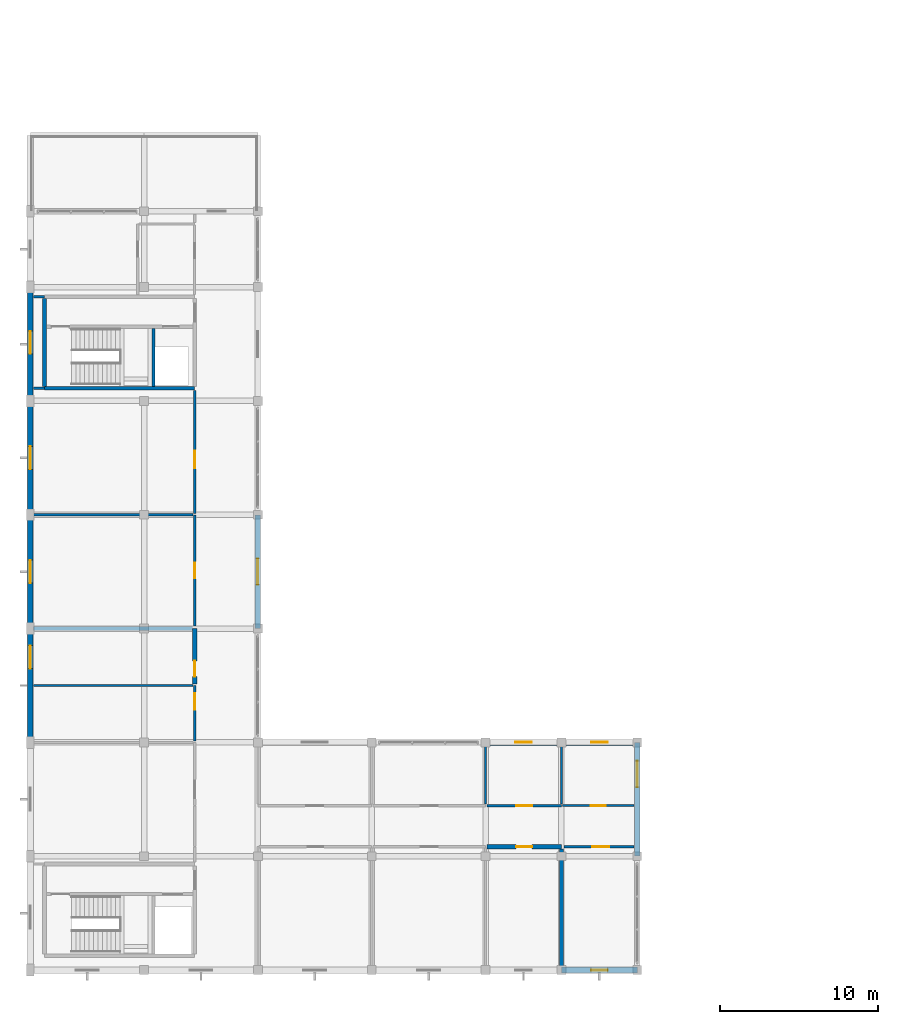
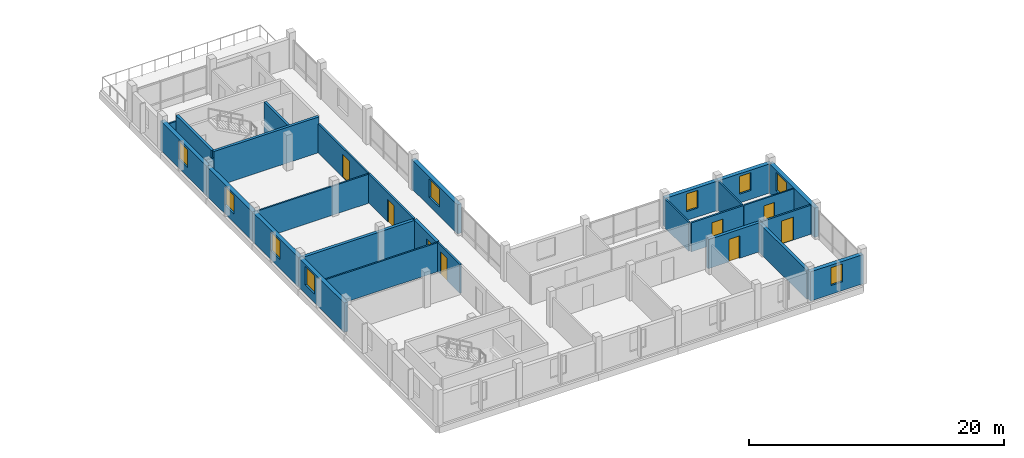
# One storey, part 55 of 66: 28 walls, 9 windows, 8 doors, 17 openings.
"""IFC4 building model written with IfcOpenShell, lengths in metres."""

from ifc_helpers import new_model, si_unit, direction, frame, frame_2d, origin, place, context, subcontext, project, spatial, rectangle, extrude, material, layer, layer_set, type_object, element, fill, save


model = new_model("IFC4")

# Units and contexts
model_context = context("Model", 3, precision=1e-05, world=origin(), true_north=direction((0.0, 1.0)))
body_context = subcontext(model_context, "Body", "Model", "MODEL_VIEW")
ifc_project = project(units=[si_unit("LENGTHUNIT", "METRE"), si_unit("AREAUNIT", "SQUARE_METRE"), si_unit("VOLUMEUNIT", "CUBIC_METRE"), si_unit("PLANEANGLEUNIT", "RADIAN"), si_unit("MASSUNIT", "GRAM", prefix="KILO")], contexts=[model_context])

# Site, building, storey
site_placement = place(None, origin())
site = spatial("IfcSite", under=ifc_project, at=site_placement, CompositionType="ELEMENT")
building_placement = place(site_placement, origin())
building = spatial("IfcBuilding", under=site, at=building_placement, Name="Zornivar Specialist Clinic", CompositionType="ELEMENT")
storey_placement = place(building_placement, frame((0.0, 0.0, 16.0)))
storey = spatial("IfcBuildingStorey", under=building, at=storey_placement, Name="L04", CompositionType="ELEMENT", Elevation=16.0)

# Wall, opening, window
ifc_material_1 = material(Name="Masonry Red-Ochre Brick and Stone Insulated Wall", Category="masonry")
ifc_layer_1 = layer(ifc_material_1, 0.360107421875)
ifc_layer_set_1 = layer_set([ifc_layer_1], Name="Masonry Red-Ochre Brick and Stone Insulated Wall")
wall_type_1 = type_object("IfcWallType", Name="EW-BRICK-360", PredefinedType="SOLIDWALL", material=ifc_layer_set_1)
wall_1_placement = place(storey_placement, frame((33.60009765625, 0.0, 0.0), z_axis=(0.0, 0.0, 1.0), x_axis=(1.0, 0.0, 0.0)))
wall_1 = element("IfcWall", 1, at=wall_1_placement, inside=storey, type_object=wall_type_1, Name="ew:V2:L04:05", PredefinedType="SOLIDWALL", context=body_context, shape_type="SweptSolid", body=[
    extrude(rectangle(XDim=4.7998046875, YDim=0.360107421875, at=frame_2d((2.39990234375, 0.0))), origin(), (0.0, 0.0, 1.0), 2.800048828125),
])
opening_1_placement = place(wall_1_placement, frame((1.875, 0.0, 0.85009765625)))
opening_1 = element("IfcOpeningElement", 2, at=opening_1_placement, cuts=wall_1, Name="Opening W-10", PredefinedType="OPENING", context=body_context, shape_type="SweptSolid", body=[
    extrude(rectangle(XDim=1.050048828125, YDim=1.699951171875, at=frame_2d((0.52490234375, 0.85009765625))), frame((0.0, 0.18994140625, 0.0), z_axis=(0.0, -1.0, 0.0), x_axis=(1.0, 0.0, 0.0)), (0.0, 0.0, 1.0), 0.380126953125),
])
ifc_material_2 = material(Name="Triple-Glazed Aluminium-Timber Window Glass", Category="wood")
window_type_1 = type_object("IfcWindowType", Name="WIN-CUMBA-PIER-1050x1700", PartitioningType="SINGLE_PANEL", PredefinedType="WINDOW", material=ifc_material_2)
window_1_placement = place(opening_1_placement, origin())
window_1 = element("IfcWindow", 3, at=window_1_placement, inside=storey, type_object=window_type_1, Name="win:V2:L04:05", OverallHeight=1.699951171875, OverallWidth=1.050048828125, PartitioningType="SINGLE_PANEL", PredefinedType="WINDOW", context=body_context, shape_type="SweptSolid", body=[
    extrude(rectangle(XDim=1.050048828125, YDim=1.699951171875, at=frame_2d((0.52490234375, 0.85009765625))), frame((0.0, 0.030029296875, 0.0), z_axis=(0.0, -1.0, 0.0), x_axis=(1.0, 0.0, 0.0)), (0.0, 0.0, 1.0), 0.06005859375),
])
fill(opening_1, window_1)

wall_2_placement = place(storey_placement, frame((38.39990234375, 7.199951171875, 0.0), z_axis=(0.0, 0.0, 1.0), x_axis=(0.0, 1.0, 0.0)))
wall_2 = element("IfcWall", 4, at=wall_2_placement, inside=storey, type_object=wall_type_1, Name="ew:V2:L04:07", PredefinedType="SOLIDWALL", context=body_context, shape_type="SweptSolid", body=[
    extrude(rectangle(XDim=7.199951171875, YDim=0.360107421875, at=frame_2d((3.60009765625, 0.0))), origin(), (0.0, 0.0, 1.0), 2.800048828125),
])
opening_2_placement = place(wall_2_placement, frame((4.375, 0.0, 0.85009765625)))
opening_2 = element("IfcOpeningElement", 5, at=opening_2_placement, cuts=wall_2, Name="Opening W-09", PredefinedType="OPENING", context=body_context, shape_type="SweptSolid", body=[
    extrude(rectangle(XDim=1.64990234375, YDim=1.75, at=frame_2d((0.824951171875, 0.875))), frame((0.0, 0.18994140625, 0.0), z_axis=(0.0, -1.0, 0.0), x_axis=(1.0, 0.0, 0.0)), (0.0, 0.0, 1.0), 0.380126953125),
])
ifc_material_3 = material(Name="Triple-Glazed Aluminium-Timber Window Glass", Category="wood")
window_type_2 = type_object("IfcWindowType", Name="WIN-CUMBA-COURT-1650x1750", PartitioningType="SINGLE_PANEL", PredefinedType="WINDOW", material=ifc_material_3)
window_2_placement = place(opening_2_placement, origin())
window_2 = element("IfcWindow", 6, at=window_2_placement, inside=storey, type_object=window_type_2, Name="win:V2:L04:07", OverallHeight=1.75, OverallWidth=1.64990234375, PartitioningType="SINGLE_PANEL", PredefinedType="WINDOW", context=body_context, shape_type="SweptSolid", body=[
    extrude(rectangle(XDim=1.64990234375, YDim=1.75, at=frame_2d((0.824951171875, 0.875))), frame((0.0, 0.030029296875, 0.0), z_axis=(0.0, -1.0, 0.0), x_axis=(1.0, 0.0, 0.0)), (0.0, 0.0, 1.0), 0.06005859375),
])
fill(opening_2, window_2)

wall_3_placement = place(storey_placement, frame((38.39990234375, 14.39990234375, 0.0), z_axis=(0.0, 0.0, 1.0), x_axis=(-1.0, 0.0, 0.0)))
wall_3 = element("IfcWall", 7, at=wall_3_placement, inside=storey, type_object=wall_type_1, Name="ew:V2:L04:08", PredefinedType="SOLIDWALL", context=body_context, shape_type="SweptSolid", body=[
    extrude(rectangle(XDim=4.7998046875, YDim=0.360107421875, at=frame_2d((2.39990234375, 0.0))), origin(), (0.0, 0.0, 1.0), 2.800048828125),
])
opening_3_placement = place(wall_3_placement, frame((1.875, 0.0, 0.85009765625)))
opening_3 = element("IfcOpeningElement", 8, at=opening_3_placement, cuts=wall_3, Name="Opening W-10", PredefinedType="OPENING", context=body_context, shape_type="SweptSolid", body=[
    extrude(rectangle(XDim=1.050048828125, YDim=1.699951171875, at=frame_2d((0.52490234375, 0.85009765625))), frame((0.0, 0.18994140625, 0.0), z_axis=(0.0, -1.0, 0.0), x_axis=(1.0, 0.0, 0.0)), (0.0, 0.0, 1.0), 0.380126953125),
])
window_3_placement = place(opening_3_placement, origin())
window_3 = element("IfcWindow", 9, at=window_3_placement, inside=storey, type_object=window_type_1, Name="win:V2:L04:08", OverallHeight=1.699951171875, OverallWidth=1.050048828125, PartitioningType="SINGLE_PANEL", PredefinedType="WINDOW", context=body_context, shape_type="SweptSolid", body=[
    extrude(rectangle(XDim=1.050048828125, YDim=1.699951171875, at=frame_2d((0.52490234375, 0.85009765625))), frame((0.0, 0.030029296875, 0.0), z_axis=(0.0, -1.0, 0.0), x_axis=(1.0, 0.0, 0.0)), (0.0, 0.0, 1.0), 0.06005859375),
])
fill(opening_3, window_3)

wall_4_placement = place(storey_placement, frame((33.60009765625, 14.39990234375, 0.0), z_axis=(0.0, 0.0, 1.0), x_axis=(-1.0, 0.0, 0.0)))
wall_4 = element("IfcWall", 10, at=wall_4_placement, inside=storey, type_object=wall_type_1, Name="ew:V2:L04:09", PredefinedType="SOLIDWALL", context=body_context, shape_type="SweptSolid", body=[
    extrude(rectangle(XDim=4.800048828125, YDim=0.360107421875, at=frame_2d((2.39990234375, 0.0))), origin(), (0.0, 0.0, 1.0), 2.800048828125),
])
opening_4_placement = place(wall_4_placement, frame((1.875, 0.0, 0.85009765625)))
opening_4 = element("IfcOpeningElement", 11, at=opening_4_placement, cuts=wall_4, Name="Opening W-10", PredefinedType="OPENING", context=body_context, shape_type="SweptSolid", body=[
    extrude(rectangle(XDim=1.050048828125, YDim=1.699951171875, at=frame_2d((0.52490234375, 0.85009765625))), frame((0.0, 0.18994140625, 0.0), z_axis=(0.0, -1.0, 0.0), x_axis=(1.0, 0.0, 0.0)), (0.0, 0.0, 1.0), 0.380126953125),
])
window_4_placement = place(opening_4_placement, origin())
window_4 = element("IfcWindow", 12, at=window_4_placement, inside=storey, type_object=window_type_1, Name="win:V2:L04:09", OverallHeight=1.699951171875, OverallWidth=1.050048828125, PartitioningType="SINGLE_PANEL", PredefinedType="WINDOW", context=body_context, shape_type="SweptSolid", body=[
    extrude(rectangle(XDim=1.050048828125, YDim=1.699951171875, at=frame_2d((0.52490234375, 0.85009765625))), frame((0.0, 0.030029296875, 0.0), z_axis=(0.0, -1.0, 0.0), x_axis=(1.0, 0.0, 0.0)), (0.0, 0.0, 1.0), 0.06005859375),
])
fill(opening_4, window_4)

wall_5_placement = place(storey_placement, frame((14.39990234375, 21.60009765625, 0.0), z_axis=(0.0, 0.0, 1.0), x_axis=(0.0, 1.0, 0.0)))
wall_5 = element("IfcWall", 13, at=wall_5_placement, inside=storey, type_object=wall_type_1, Name="ew:V2:L04:13", PredefinedType="SOLIDWALL", context=body_context, shape_type="SweptSolid", body=[
    extrude(rectangle(XDim=7.199951171875, YDim=0.360107421875, at=frame_2d((3.60009765625, 0.0))), origin(), (0.0, 0.0, 1.0), 2.800048828125),
])
opening_5_placement = place(wall_5_placement, frame((2.77490234375, 0.0, 0.85009765625)))
opening_5 = element("IfcOpeningElement", 14, at=opening_5_placement, cuts=wall_5, Name="Opening W-09", PredefinedType="OPENING", context=body_context, shape_type="SweptSolid", body=[
    extrude(rectangle(XDim=1.64990234375, YDim=1.75, at=frame_2d((0.824951171875, 0.875))), frame((0.0, 0.18994140625, 0.0), z_axis=(0.0, -1.0, 0.0), x_axis=(1.0, 0.0, 0.0)), (0.0, 0.0, 1.0), 0.380126953125),
])
window_5_placement = place(opening_5_placement, origin())
window_5 = element("IfcWindow", 15, at=window_5_placement, inside=storey, type_object=window_type_2, Name="win:V2:L04:13", OverallHeight=1.75, OverallWidth=1.64990234375, PartitioningType="SINGLE_PANEL", PredefinedType="WINDOW", context=body_context, shape_type="SweptSolid", body=[
    extrude(rectangle(XDim=1.64990234375, YDim=1.75, at=frame_2d((0.824951171875, 0.875))), frame((0.0, 0.030029296875, 0.0), z_axis=(0.0, -1.0, 0.0), x_axis=(1.0, 0.0, 0.0)), (0.0, 0.0, 1.0), 0.06005859375),
])
fill(opening_5, window_5)

wall_6_placement = place(storey_placement, frame((0.0, 43.199951171875, 0.0), z_axis=(0.0, 0.0, 1.0), x_axis=(0.0, -1.0, 0.0)))
wall_6 = element("IfcWall", 16, at=wall_6_placement, inside=storey, type_object=wall_type_1, Name="ew:V2:L04:20", PredefinedType="SOLIDWALL", context=body_context, shape_type="SweptSolid", body=[
    extrude(rectangle(XDim=7.199951171875, YDim=0.360107421875, at=frame_2d((3.60009765625, 0.0))), origin(), (0.0, 0.0, 1.0), 2.800048828125),
])
opening_6_placement = place(wall_6_placement, frame((2.77490234375, 0.0, 0.85009765625)))
opening_6 = element("IfcOpeningElement", 17, at=opening_6_placement, cuts=wall_6, Name="Opening W-08", PredefinedType="OPENING", context=body_context, shape_type="SweptSolid", body=[
    extrude(rectangle(XDim=1.449951171875, YDim=1.75, at=frame_2d((0.72509765625, 0.875))), frame((0.0, 0.18994140625, 0.0), z_axis=(0.0, -1.0, 0.0), x_axis=(1.0, 0.0, 0.0)), (0.0, 0.0, 1.0), 0.380126953125),
])
ifc_material_4 = material(Name="Triple-Glazed Aluminium-Timber Window Glass", Category="wood")
window_type_3 = type_object("IfcWindowType", Name="WIN-CUMBA-STREET-1450x1750", PartitioningType="SINGLE_PANEL", PredefinedType="WINDOW", material=ifc_material_4)
window_6_placement = place(opening_6_placement, origin())
window_6 = element("IfcWindow", 18, at=window_6_placement, inside=storey, type_object=window_type_3, Name="win:V2:L04:20", OverallHeight=1.75, OverallWidth=1.449951171875, PartitioningType="SINGLE_PANEL", PredefinedType="WINDOW", context=body_context, shape_type="SweptSolid", body=[
    extrude(rectangle(XDim=1.449951171875, YDim=1.75, at=frame_2d((0.72509765625, 0.875))), frame((0.0, 0.030029296875, 0.0), z_axis=(0.0, -1.0, 0.0), x_axis=(1.0, 0.0, 0.0)), (0.0, 0.0, 1.0), 0.06005859375),
])
fill(opening_6, window_6)

wall_7_placement = place(storey_placement, frame((0.0, 36.0, 0.0), z_axis=(0.0, 0.0, 1.0), x_axis=(0.0, -1.0, 0.0)))
wall_7 = element("IfcWall", 19, at=wall_7_placement, inside=storey, type_object=wall_type_1, Name="ew:V2:L04:21", PredefinedType="SOLIDWALL", context=body_context, shape_type="SweptSolid", body=[
    extrude(rectangle(XDim=7.199951171875, YDim=0.360107421875, at=frame_2d((3.60009765625, 0.0))), origin(), (0.0, 0.0, 1.0), 2.800048828125),
])
opening_7_placement = place(wall_7_placement, frame((2.875, 0.0, 0.85009765625)))
opening_7 = element("IfcOpeningElement", 20, at=opening_7_placement, cuts=wall_7, Name="Opening W-08", PredefinedType="OPENING", context=body_context, shape_type="SweptSolid", body=[
    extrude(rectangle(XDim=1.449951171875, YDim=1.75, at=frame_2d((0.72509765625, 0.875))), frame((0.0, 0.18994140625, 0.0), z_axis=(0.0, -1.0, 0.0), x_axis=(1.0, 0.0, 0.0)), (0.0, 0.0, 1.0), 0.380126953125),
])
window_7_placement = place(opening_7_placement, origin())
window_7 = element("IfcWindow", 21, at=window_7_placement, inside=storey, type_object=window_type_3, Name="win:V2:L04:21", OverallHeight=1.75, OverallWidth=1.449951171875, PartitioningType="SINGLE_PANEL", PredefinedType="WINDOW", context=body_context, shape_type="SweptSolid", body=[
    extrude(rectangle(XDim=1.449951171875, YDim=1.75, at=frame_2d((0.72509765625, 0.875))), frame((0.0, 0.030029296875, 0.0), z_axis=(0.0, -1.0, 0.0), x_axis=(1.0, 0.0, 0.0)), (0.0, 0.0, 1.0), 0.06005859375),
])
fill(opening_7, window_7)

wall_8_placement = place(storey_placement, frame((0.0, 28.800048828125, 0.0), z_axis=(0.0, 0.0, 1.0), x_axis=(0.0, -1.0, 0.0)))
wall_8 = element("IfcWall", 22, at=wall_8_placement, inside=storey, type_object=wall_type_1, Name="ew:V2:L04:22", PredefinedType="SOLIDWALL", context=body_context, shape_type="SweptSolid", body=[
    extrude(rectangle(XDim=7.199951171875, YDim=0.360107421875, at=frame_2d((3.60009765625, 0.0))), origin(), (0.0, 0.0, 1.0), 2.800048828125),
])
opening_8_placement = place(wall_8_placement, frame((2.875, 0.0, 0.85009765625)))
opening_8 = element("IfcOpeningElement", 23, at=opening_8_placement, cuts=wall_8, Name="Opening W-08", PredefinedType="OPENING", context=body_context, shape_type="SweptSolid", body=[
    extrude(rectangle(XDim=1.449951171875, YDim=1.75, at=frame_2d((0.72509765625, 0.875))), frame((0.0, 0.18994140625, 0.0), z_axis=(0.0, -1.0, 0.0), x_axis=(1.0, 0.0, 0.0)), (0.0, 0.0, 1.0), 0.380126953125),
])
window_8_placement = place(opening_8_placement, origin())
window_8 = element("IfcWindow", 24, at=window_8_placement, inside=storey, type_object=window_type_3, Name="win:V2:L04:22", OverallHeight=1.75, OverallWidth=1.449951171875, PartitioningType="SINGLE_PANEL", PredefinedType="WINDOW", context=body_context, shape_type="SweptSolid", body=[
    extrude(rectangle(XDim=1.449951171875, YDim=1.75, at=frame_2d((0.72509765625, 0.875))), frame((0.0, 0.030029296875, 0.0), z_axis=(0.0, -1.0, 0.0), x_axis=(1.0, 0.0, 0.0)), (0.0, 0.0, 1.0), 0.06005859375),
])
fill(opening_8, window_8)

wall_9_placement = place(storey_placement, frame((0.0, 21.60009765625, 0.0), z_axis=(0.0, 0.0, 1.0), x_axis=(0.0, -1.0, 0.0)))
wall_9 = element("IfcWall", 25, at=wall_9_placement, inside=storey, type_object=wall_type_1, Name="ew:V2:L04:23", PredefinedType="SOLIDWALL", context=body_context, shape_type="SweptSolid", body=[
    extrude(rectangle(XDim=7.2001953125, YDim=0.360107421875, at=frame_2d((3.60009765625, 0.0))), origin(), (0.0, 0.0, 1.0), 2.800048828125),
])
opening_9_placement = place(wall_9_placement, frame((1.074951171875, 0.0, 0.85009765625)))
opening_9 = element("IfcOpeningElement", 26, at=opening_9_placement, cuts=wall_9, Name="Opening W-08", PredefinedType="OPENING", context=body_context, shape_type="SweptSolid", body=[
    extrude(rectangle(XDim=1.449951171875, YDim=1.75, at=frame_2d((0.72509765625, 0.875))), frame((0.0, 0.18994140625, 0.0), z_axis=(0.0, -1.0, 0.0), x_axis=(1.0, 0.0, 0.0)), (0.0, 0.0, 1.0), 0.380126953125),
])
window_9_placement = place(opening_9_placement, origin())
window_9 = element("IfcWindow", 27, at=window_9_placement, inside=storey, type_object=window_type_3, Name="win:V2:L04:23", OverallHeight=1.75, OverallWidth=1.449951171875, PartitioningType="SINGLE_PANEL", PredefinedType="WINDOW", context=body_context, shape_type="SweptSolid", body=[
    extrude(rectangle(XDim=1.449951171875, YDim=1.75, at=frame_2d((0.72509765625, 0.875))), frame((0.0, 0.030029296875, 0.0), z_axis=(0.0, -1.0, 0.0), x_axis=(1.0, 0.0, 0.0)), (0.0, 0.0, 1.0), 0.06005859375),
])
fill(opening_9, window_9)

# Wall, opening, door
ifc_material_5 = material(Name="High-Mass Acoustic Auditorium and Audiometry Partition")
ifc_layer_2 = layer(ifc_material_5, 0.27001953125)
ifc_layer_set_2 = layer_set([ifc_layer_2], Name="High-Mass Acoustic Auditorium and Audiometry Partition")
wall_type_2 = type_object("IfcWallType", Name="IW-ACOUSTIC-AUD-270", PredefinedType="PARTITIONING", material=ifc_layer_set_2)
wall_10_placement = place(storey_placement, frame((10.39990234375, 21.60009765625, 0.0), z_axis=(0.0, 0.0, 1.0), x_axis=(0.0, -1.0, 0.0)))
wall_10 = element("IfcWall", 28, at=wall_10_placement, inside=storey, type_object=wall_type_2, Name="iw:L04:007", PredefinedType="PARTITIONING", context=body_context, shape_type="SweptSolid", body=[
    extrude(rectangle(XDim=3.51611328125, YDim=0.27001953125, at=frame_2d((1.758056640625, 0.0))), origin(), (0.0, 0.0, 1.0), 2.780029296875),
])
opening_10_placement = place(wall_10_placement, frame((2.035888671875, 0.0, 0.0)))
opening_10 = element("IfcOpeningElement", 29, at=opening_10_placement, cuts=wall_10, Name="Opening ID-04", PredefinedType="OPENING", context=body_context, shape_type="SweptSolid", body=[
    extrude(rectangle(XDim=1.0, YDim=2.14990234375, at=frame_2d((0.5, 1.074951171875))), frame((0.0, 0.14501953125, 0.0), z_axis=(0.0, -1.0, 0.0), x_axis=(1.0, 0.0, 0.0)), (0.0, 0.0, 1.0), 0.2900390625),
])
ifc_material_6 = material(Name="Solid-Core Hygienic Laminate Timber Door", Category="wood")
door_type_1 = type_object("IfcDoorType", Name="ID-EXAM-1000x2150", OperationType="NOTDEFINED", PredefinedType="DOOR", material=ifc_material_6)
door_1_placement = place(opening_10_placement, origin())
door_1 = element("IfcDoor", 30, at=door_1_placement, inside=storey, type_object=door_type_1, Name="door:space:V2:L04:rm:02", OperationType="SINGLE_SWING_LEFT", OverallHeight=2.14990234375, OverallWidth=1.0, PredefinedType="DOOR", context=body_context, shape_type="SweptSolid", body=[
    extrude(rectangle(XDim=1.0, YDim=2.14990234375, at=frame_2d((0.5, 1.074951171875))), frame((0.0, 0.02490234375, 0.0), z_axis=(0.0, -1.0, 0.0), x_axis=(1.0, 0.0, 0.0)), (0.0, 0.0, 1.0), 0.050048828125),
])
fill(opening_10, door_1)

# Wall
wall_11_placement = place(storey_placement, frame((0.195068359375, 21.60009765625, 0.0), z_axis=(0.0, 0.0, 1.0), x_axis=(1.0, 0.0, 0.0)))
element("IfcWall", 31, at=wall_11_placement, inside=storey, type_object=wall_type_2, Name="iw:L04:008", PredefinedType="PARTITIONING", context=body_context, shape_type="SweptSolid", body=[
    extrude(rectangle(XDim=10.055908203125, YDim=0.27001953125, at=frame_2d((5.02783203125, 0.0))), origin(), (0.0, 0.0, 1.0), 2.780029296875),
])

# Wall, opening, door
wall_12_placement = place(storey_placement, frame((28.884033203125, 7.800048828125, 0.0), z_axis=(0.0, 0.0, 1.0), x_axis=(1.0, 0.0, 0.0)))
wall_12 = element("IfcWall", 32, at=wall_12_placement, inside=storey, type_object=wall_type_2, Name="iw:L04:028", PredefinedType="PARTITIONING", context=body_context, shape_type="SweptSolid", body=[
    extrude(rectangle(XDim=4.716064453125, YDim=0.27001953125, at=frame_2d((2.35791015625, 0.0))), origin(), (0.0, 0.0, 1.0), 2.780029296875),
])
opening_11_placement = place(wall_12_placement, frame((1.85791015625, 0.0, 0.0)))
opening_11 = element("IfcOpeningElement", 33, at=opening_11_placement, cuts=wall_12, Name="Opening ID-04", PredefinedType="OPENING", context=body_context, shape_type="SweptSolid", body=[
    extrude(rectangle(XDim=1.0, YDim=2.14990234375, at=frame_2d((0.5, 1.074951171875))), frame((0.0, 0.14501953125, 0.0), z_axis=(0.0, -1.0, 0.0), x_axis=(1.0, 0.0, 0.0)), (0.0, 0.0, 1.0), 0.2900390625),
])
door_2_placement = place(opening_11_placement, origin())
door_2 = element("IfcDoor", 34, at=door_2_placement, inside=storey, type_object=door_type_1, Name="door:space:V2:L04:rm:11", OperationType="SINGLE_SWING_RIGHT", OverallHeight=2.14990234375, OverallWidth=1.0, PredefinedType="DOOR", context=body_context, shape_type="SweptSolid", body=[
    extrude(rectangle(XDim=1.0, YDim=2.14990234375, at=frame_2d((0.5, 1.074951171875))), frame((0.0, 0.02490234375, 0.0), z_axis=(0.0, -1.0, 0.0), x_axis=(1.0, 0.0, 0.0)), (0.0, 0.0, 1.0), 0.050048828125),
])
fill(opening_11, door_2)

# Walls
wall_13_placement = place(storey_placement, frame((33.60009765625, 7.65087890625, 0.0), z_axis=(0.0, 0.0, 1.0), x_axis=(0.0, -1.0, 0.0)))
element("IfcWall", 35, at=wall_13_placement, inside=storey, type_object=wall_type_2, Name="iw:L04:029", PredefinedType="PARTITIONING", context=body_context, shape_type="SweptSolid", body=[
    extrude(rectangle(XDim=7.455810546875, YDim=0.27001953125, at=frame_2d((3.72802734375, 0.0))), origin(), (0.0, 0.0, 1.0), 2.780029296875),
])
ifc_material_7 = material(Name="Acoustic Clinical Stud Partition")
ifc_layer_3 = layer(ifc_material_7, 0.139892578125)
ifc_layer_set_3 = layer_set([ifc_layer_3], Name="Acoustic Clinical Stud Partition")
wall_type_3 = type_object("IfcWallType", Name="IW-CLIN-140", PredefinedType="PARTITIONING", material=ifc_layer_set_3)
for number, where, z_axis, x_axis, name in (
    (36, (0.195068359375, 18.0, 0.0), (0.0, 0.0, 1.0), (1.0, 0.0, 0.0), "iw:L04:006"),
    (37, (0.195068359375, 28.800048828125, 0.0), (0.0, 0.0, 1.0), (1.0, 0.0, 0.0), "iw:L04:010"),
):
    element("IfcWall", number, at=place(storey_placement, frame(where, z_axis=z_axis, x_axis=x_axis)), inside=storey, type_object=wall_type_3, Name=name, PredefinedType="PARTITIONING", context=body_context, shape_type="SweptSolid", body=[
        extrude(rectangle(XDim=10.11083984375, YDim=0.139892578125, at=frame_2d((5.055419921875, 0.0))), origin(), (0.0, 0.0, 1.0), 2.780029296875),
    ])
for number, where, z_axis, x_axis, name in (
    (38, (0.195068359375, 36.800048828125, 0.0), (0.0, 0.0, 1.0), (1.0, 0.0, 0.0), "iw:L04:012"),
    (39, (0.89990234375, 42.60009765625, 0.0), (0.0, 0.0, 1.0), (-1.0, 0.0, 0.0), "iw:L04:016"),
):
    element("IfcWall", number, at=place(storey_placement, frame(where, z_axis=z_axis, x_axis=x_axis)), inside=storey, type_object=wall_type_3, Name=name, PredefinedType="PARTITIONING", context=body_context, shape_type="SweptSolid", body=[
        extrude(rectangle(XDim=0.704833984375, YDim=0.139892578125, at=frame_2d((0.3525390625, 0.0))), origin(), (0.0, 0.0, 1.0), 2.780029296875),
    ])
wall_14_placement = place(storey_placement, frame((28.800048828125, 14.205078125, 0.0), z_axis=(0.0, 0.0, 1.0), x_axis=(0.0, -1.0, 0.0)))
element("IfcWall", 40, at=wall_14_placement, inside=storey, type_object=wall_type_3, Name="iw:L04:027", PredefinedType="PARTITIONING", context=body_context, shape_type="SweptSolid", body=[
    extrude(rectangle(XDim=3.711181640625, YDim=0.139892578125, at=frame_2d((1.85546875, 0.0))), origin(), (0.0, 0.0, 1.0), 2.780029296875),
])

# Wall, opening, door
ifc_material_8 = material(Name="Gypsum Fire-Rated Double Stud Partition")
ifc_layer_4 = layer(ifc_material_8, 0.159912109375)
ifc_layer_set_4 = layer_set([ifc_layer_4], Name="Gypsum Fire-Rated Double Stud Partition")
wall_type_4 = type_object("IfcWallType", Name="IW-CORR-EI60-160", PredefinedType="PARTITIONING", material=ifc_layer_set_4)
wall_15_placement = place(storey_placement, frame((10.39990234375, 18.0, 0.0), z_axis=(0.0, 0.0, 1.0), x_axis=(0.0, -1.0, 0.0)))
wall_15 = element("IfcWall", 41, at=wall_15_placement, inside=storey, type_object=wall_type_4, Name="iw:L04:005", PredefinedType="PARTITIONING", context=body_context, shape_type="SweptSolid", body=[
    extrude(rectangle(XDim=3.51611328125, YDim=0.159912109375, at=frame_2d((1.758056640625, 0.0))), origin(), (0.0, 0.0, 1.0), 2.780029296875),
])
opening_12_placement = place(wall_15_placement, frame((0.47998046875, 0.0, 0.0)))
opening_12 = element("IfcOpeningElement", 42, at=opening_12_placement, cuts=wall_15, Name="Opening ID-03", PredefinedType="OPENING", context=body_context, shape_type="SweptSolid", body=[
    extrude(rectangle(XDim=1.050048828125, YDim=2.14990234375, at=frame_2d((0.52490234375, 1.074951171875))), frame((0.0, 0.08984375, 0.0), z_axis=(0.0, -1.0, 0.0), x_axis=(1.0, 0.0, 0.0)), (0.0, 0.0, 1.0), 0.179931640625),
])
ifc_material_9 = material(Name="Solid-Core Hygienic Laminate Timber Door", Category="wood")
door_type_2 = type_object("IfcDoorType", Name="ID-CONS-1050x2150", OperationType="NOTDEFINED", PredefinedType="DOOR", material=ifc_material_9)
door_3_placement = place(opening_12_placement, origin())
door_3 = element("IfcDoor", 43, at=door_3_placement, inside=storey, type_object=door_type_2, Name="door:space:V2:L04:rm:01", OperationType="SINGLE_SWING_RIGHT", OverallHeight=2.14990234375, OverallWidth=1.050048828125, PredefinedType="DOOR", context=body_context, shape_type="SweptSolid", body=[
    extrude(rectangle(XDim=1.050048828125, YDim=2.14990234375, at=frame_2d((0.52490234375, 1.074951171875))), frame((0.0, 0.02490234375, 0.0), z_axis=(0.0, -1.0, 0.0), x_axis=(1.0, 0.0, 0.0)), (0.0, 0.0, 1.0), 0.050048828125),
])
fill(opening_12, door_3)

wall_16_placement = place(storey_placement, frame((10.39990234375, 28.800048828125, 0.0), z_axis=(0.0, 0.0, 1.0), x_axis=(0.0, -1.0, 0.0)))
wall_16 = element("IfcWall", 44, at=wall_16_placement, inside=storey, type_object=wall_type_4, Name="iw:L04:009", PredefinedType="PARTITIONING", context=body_context, shape_type="SweptSolid", body=[
    extrude(rectangle(XDim=7.051025390625, YDim=0.159912109375, at=frame_2d((3.525390625, 0.0))), origin(), (0.0, 0.0, 1.0), 2.780029296875),
])
opening_13_placement = place(wall_16_placement, frame((3.02587890625, 0.0, 0.0)))
opening_13 = element("IfcOpeningElement", 45, at=opening_13_placement, cuts=wall_16, Name="Opening ID-04", PredefinedType="OPENING", context=body_context, shape_type="SweptSolid", body=[
    extrude(rectangle(XDim=1.0, YDim=2.14990234375, at=frame_2d((0.5, 1.074951171875))), frame((0.0, 0.08984375, 0.0), z_axis=(0.0, -1.0, 0.0), x_axis=(1.0, 0.0, 0.0)), (0.0, 0.0, 1.0), 0.179931640625),
])
door_4_placement = place(opening_13_placement, origin())
door_4 = element("IfcDoor", 46, at=door_4_placement, inside=storey, type_object=door_type_1, Name="door:space:V2:L04:rm:03", OperationType="SINGLE_SWING_RIGHT", OverallHeight=2.14990234375, OverallWidth=1.0, PredefinedType="DOOR", context=body_context, shape_type="SweptSolid", body=[
    extrude(rectangle(XDim=1.0, YDim=2.14990234375, at=frame_2d((0.5, 1.074951171875))), frame((0.0, 0.02490234375, 0.0), z_axis=(0.0, -1.0, 0.0), x_axis=(1.0, 0.0, 0.0)), (0.0, 0.0, 1.0), 0.050048828125),
])
fill(opening_13, door_4)

wall_17_placement = place(storey_placement, frame((10.39990234375, 36.6650390625, 0.0), z_axis=(0.0, 0.0, 1.0), x_axis=(0.0, -1.0, 0.0)))
wall_17 = element("IfcWall", 47, at=wall_17_placement, inside=storey, type_object=wall_type_4, Name="iw:L04:011", PredefinedType="PARTITIONING", context=body_context, shape_type="SweptSolid", body=[
    extrude(rectangle(XDim=7.781005859375, YDim=0.159912109375, at=frame_2d((3.890625, 0.0))), origin(), (0.0, 0.0, 1.0), 2.780029296875),
])
opening_14_placement = place(wall_17_placement, frame((3.81689453125, 0.0, 0.0)))
opening_14 = element("IfcOpeningElement", 48, at=opening_14_placement, cuts=wall_17, Name="Opening ID-05", PredefinedType="OPENING", context=body_context, shape_type="SweptSolid", body=[
    extrude(rectangle(XDim=1.10009765625, YDim=2.199951171875, at=frame_2d((0.550048828125, 1.10009765625))), frame((0.0, 0.08984375, 0.0), z_axis=(0.0, -1.0, 0.0), x_axis=(1.0, 0.0, 0.0)), (0.0, 0.0, 1.0), 0.179931640625),
])
ifc_material_10 = material(Name="Solid-Core Hygienic Laminate Timber Door", Category="wood")
door_type_3 = type_object("IfcDoorType", Name="ID-THER-1100x2200", OperationType="NOTDEFINED", PredefinedType="DOOR", material=ifc_material_10)
door_5_placement = place(opening_14_placement, origin())
door_5 = element("IfcDoor", 49, at=door_5_placement, inside=storey, type_object=door_type_3, Name="door:space:V2:L04:rm:04", OperationType="SINGLE_SWING_LEFT", OverallHeight=2.199951171875, OverallWidth=1.10009765625, PredefinedType="DOOR", context=body_context, shape_type="SweptSolid", body=[
    extrude(rectangle(XDim=1.10009765625, YDim=2.199951171875, at=frame_2d((0.550048828125, 1.10009765625))), frame((0.0, 0.02490234375, 0.0), z_axis=(0.0, -1.0, 0.0), x_axis=(1.0, 0.0, 0.0)), (0.0, 0.0, 1.0), 0.050048828125),
])
fill(opening_14, door_5)

wall_18_placement = place(storey_placement, frame((33.60009765625, 10.39990234375, 0.0), z_axis=(0.0, 0.0, 1.0), x_axis=(-1.0, 0.0, 0.0)))
wall_18 = element("IfcWall", 50, at=wall_18_placement, inside=storey, type_object=wall_type_4, Name="iw:L04:030", PredefinedType="PARTITIONING", context=body_context, shape_type="SweptSolid", body=[
    extrude(rectangle(XDim=4.716064453125, YDim=0.159912109375, at=frame_2d((2.35791015625, 0.0))), origin(), (0.0, 0.0, 1.0), 2.780029296875),
])
opening_15_placement = place(wall_18_placement, frame((1.85791015625, 0.0, 0.0)))
opening_15 = element("IfcOpeningElement", 51, at=opening_15_placement, cuts=wall_18, Name="Opening ID-04", PredefinedType="OPENING", context=body_context, shape_type="SweptSolid", body=[
    extrude(rectangle(XDim=1.0, YDim=2.14990234375, at=frame_2d((0.5, 1.074951171875))), frame((0.0, 0.08984375, 0.0), z_axis=(0.0, -1.0, 0.0), x_axis=(1.0, 0.0, 0.0)), (0.0, 0.0, 1.0), 0.179931640625),
])
door_6_placement = place(opening_15_placement, origin())
door_6 = element("IfcDoor", 52, at=door_6_placement, inside=storey, type_object=door_type_1, Name="door:space:V2:L04:rm:12", OperationType="SINGLE_SWING_LEFT", OverallHeight=2.14990234375, OverallWidth=1.0, PredefinedType="DOOR", context=body_context, shape_type="SweptSolid", body=[
    extrude(rectangle(XDim=1.0, YDim=2.14990234375, at=frame_2d((0.5, 1.074951171875))), frame((0.0, 0.02490234375, 0.0), z_axis=(0.0, -1.0, 0.0), x_axis=(1.0, 0.0, 0.0)), (0.0, 0.0, 1.0), 0.050048828125),
])
fill(opening_15, door_6)

wall_19_placement = place(storey_placement, frame((33.7490234375, 7.800048828125, 0.0), z_axis=(0.0, 0.0, 1.0), x_axis=(1.0, 0.0, 0.0)))
wall_19 = element("IfcWall", 53, at=wall_19_placement, inside=storey, type_object=wall_type_4, Name="iw:L04:032", PredefinedType="PARTITIONING", context=body_context, shape_type="SweptSolid", body=[
    extrude(rectangle(XDim=4.4560546875, YDim=0.159912109375, at=frame_2d((2.22802734375, 0.0))), origin(), (0.0, 0.0, 1.0), 2.780029296875),
])
opening_16_placement = place(wall_19_placement, frame((1.787109375, 0.0, 0.0)))
opening_16 = element("IfcOpeningElement", 54, at=opening_16_placement, cuts=wall_19, Name="Opening ID-05", PredefinedType="OPENING", context=body_context, shape_type="SweptSolid", body=[
    extrude(rectangle(XDim=1.10009765625, YDim=2.199951171875, at=frame_2d((0.550048828125, 1.10009765625))), frame((0.0, 0.08984375, 0.0), z_axis=(0.0, -1.0, 0.0), x_axis=(1.0, 0.0, 0.0)), (0.0, 0.0, 1.0), 0.179931640625),
])
door_7_placement = place(opening_16_placement, origin())
door_7 = element("IfcDoor", 55, at=door_7_placement, inside=storey, type_object=door_type_3, Name="door:space:V2:L04:rm:13", OperationType="SINGLE_SWING_RIGHT", OverallHeight=2.199951171875, OverallWidth=1.10009765625, PredefinedType="DOOR", context=body_context, shape_type="SweptSolid", body=[
    extrude(rectangle(XDim=1.10009765625, YDim=2.199951171875, at=frame_2d((0.550048828125, 1.10009765625))), frame((0.0, 0.02490234375, 0.0), z_axis=(0.0, -1.0, 0.0), x_axis=(1.0, 0.0, 0.0)), (0.0, 0.0, 1.0), 0.050048828125),
])
fill(opening_16, door_7)

# Wall
ifc_material_11 = material(Name="Moisture-Resistant Sanitary Partition")
ifc_layer_5 = layer(ifc_material_11, 0.1298828125)
ifc_layer_set_5 = layer_set([ifc_layer_5], Name="Moisture-Resistant Sanitary Partition")
wall_type_5 = type_object("IfcWallType", Name="IW-WET-130", PredefinedType="PARTITIONING", material=ifc_layer_set_5)
wall_20_placement = place(storey_placement, frame((33.60009765625, 14.205078125, 0.0), z_axis=(0.0, 0.0, 1.0), x_axis=(0.0, -1.0, 0.0)))
element("IfcWall", 56, at=wall_20_placement, inside=storey, type_object=wall_type_5, Name="iw:L04:031", PredefinedType="PARTITIONING", context=body_context, shape_type="SweptSolid", body=[
    extrude(rectangle(XDim=3.711181640625, YDim=0.1298828125, at=frame_2d((1.85546875, 0.0))), origin(), (0.0, 0.0, 1.0), 2.780029296875),
])

# Wall, opening, door
wall_21_placement = place(storey_placement, frame((38.205078125, 10.39990234375, 0.0), z_axis=(0.0, 0.0, 1.0), x_axis=(-1.0, 0.0, 0.0)))
wall_21 = element("IfcWall", 57, at=wall_21_placement, inside=storey, type_object=wall_type_5, Name="iw:L04:033", PredefinedType="PARTITIONING", context=body_context, shape_type="SweptSolid", body=[
    extrude(rectangle(XDim=4.526123046875, YDim=0.1298828125, at=frame_2d((2.26318359375, 0.0))), origin(), (0.0, 0.0, 1.0), 2.780029296875),
])
opening_17_placement = place(wall_21_placement, frame((1.7880859375, 0.0, 0.0)))
opening_17 = element("IfcOpeningElement", 58, at=opening_17_placement, cuts=wall_21, Name="Opening ID-07", PredefinedType="OPENING", context=body_context, shape_type="SweptSolid", body=[
    extrude(rectangle(XDim=0.949951171875, YDim=2.10009765625, at=frame_2d((0.47509765625, 1.050048828125))), frame((0.0, 0.074951171875, 0.0), z_axis=(0.0, -1.0, 0.0), x_axis=(1.0, 0.0, 0.0)), (0.0, 0.0, 1.0), 0.14990234375),
])
ifc_material_12 = material(Name="Solid-Core Hygienic Laminate Timber Door", Category="wood")
door_type_4 = type_object("IfcDoorType", Name="ID-WC-ACC-0950x2100", OperationType="NOTDEFINED", PredefinedType="DOOR", material=ifc_material_12)
door_8_placement = place(opening_17_placement, origin())
door_8 = element("IfcDoor", 59, at=door_8_placement, inside=storey, type_object=door_type_4, Name="door:space:V2:L04:rm:14", OperationType="SINGLE_SWING_LEFT", OverallHeight=2.10009765625, OverallWidth=0.949951171875, PredefinedType="DOOR", context=body_context, shape_type="SweptSolid", body=[
    extrude(rectangle(XDim=0.949951171875, YDim=2.10009765625, at=frame_2d((0.47509765625, 1.050048828125))), frame((0.0, 0.02490234375, 0.0), z_axis=(0.0, -1.0, 0.0), x_axis=(1.0, 0.0, 0.0)), (0.0, 0.0, 1.0), 0.050048828125),
])
fill(opening_17, door_8)

# Walls
ifc_material_13 = material(Name="Concrete C35/45", Category="concrete")
ifc_layer_6 = layer(ifc_material_13, 0.239990234375)
ifc_layer_set_6 = layer_set([ifc_layer_6], Name="Concrete C35/45")
wall_type_6 = type_object("IfcWallType", Name="SW-CORE-240", PredefinedType="SHEAR", material=ifc_layer_set_6)
wall_22_placement = place(storey_placement, frame((0.89990234375, 36.800048828125, 0.0), z_axis=(0.0, 0.0, 1.0), x_axis=(1.0, 0.0, 0.0)))
element("IfcWall", 60, at=wall_22_placement, inside=storey, type_object=wall_type_6, Name="sw:C2:L04:w0", PredefinedType="SHEAR", context=body_context, shape_type="SweptSolid", body=[
    extrude(rectangle(XDim=9.5, YDim=0.239990234375, at=frame_2d((4.75, 0.0))), origin(), (0.0, 0.0, 1.0), 3.419921875),
])
wall_23_placement = place(storey_placement, frame((0.89990234375, 42.47998046875, 0.0), z_axis=(0.0, 0.0, 1.0), x_axis=(0.0, -1.0, 0.0)))
element("IfcWall", 61, at=wall_23_placement, inside=storey, type_object=wall_type_6, Name="sw:C2:L04:w3", PredefinedType="SHEAR", context=body_context, shape_type="SweptSolid", body=[
    extrude(rectangle(XDim=5.56005859375, YDim=0.239990234375, at=frame_2d((2.780029296875, 0.0))), origin(), (0.0, 0.0, 1.0), 3.419921875),
])
ifc_material_14 = material(Name="Concrete C30/37", Category="concrete")
ifc_layer_7 = layer(ifc_material_14, 0.199951171875)
ifc_layer_set_7 = layer_set([ifc_layer_7], Name="Concrete C30/37")
wall_type_7 = type_object("IfcWallType", Name="SW-LIFT-200", PredefinedType="SHEAR", material=ifc_layer_set_7)
wall_24_placement = place(storey_placement, frame((7.800048828125, 36.919921875, 0.0), z_axis=(0.0, 0.0, 1.0), x_axis=(0.0, 1.0, 0.0)))
element("IfcWall", 62, at=wall_24_placement, inside=storey, type_object=wall_type_7, Name="sw:C2:L04:sdiv", PredefinedType="SHEAR", context=body_context, shape_type="SweptSolid", body=[
    extrude(rectangle(XDim=3.68017578125, YDim=0.199951171875, at=frame_2d((1.840087890625, 0.0))), origin(), (0.0, 0.0, 1.0), 3.419921875),
])

save(model, "model.ifc")
